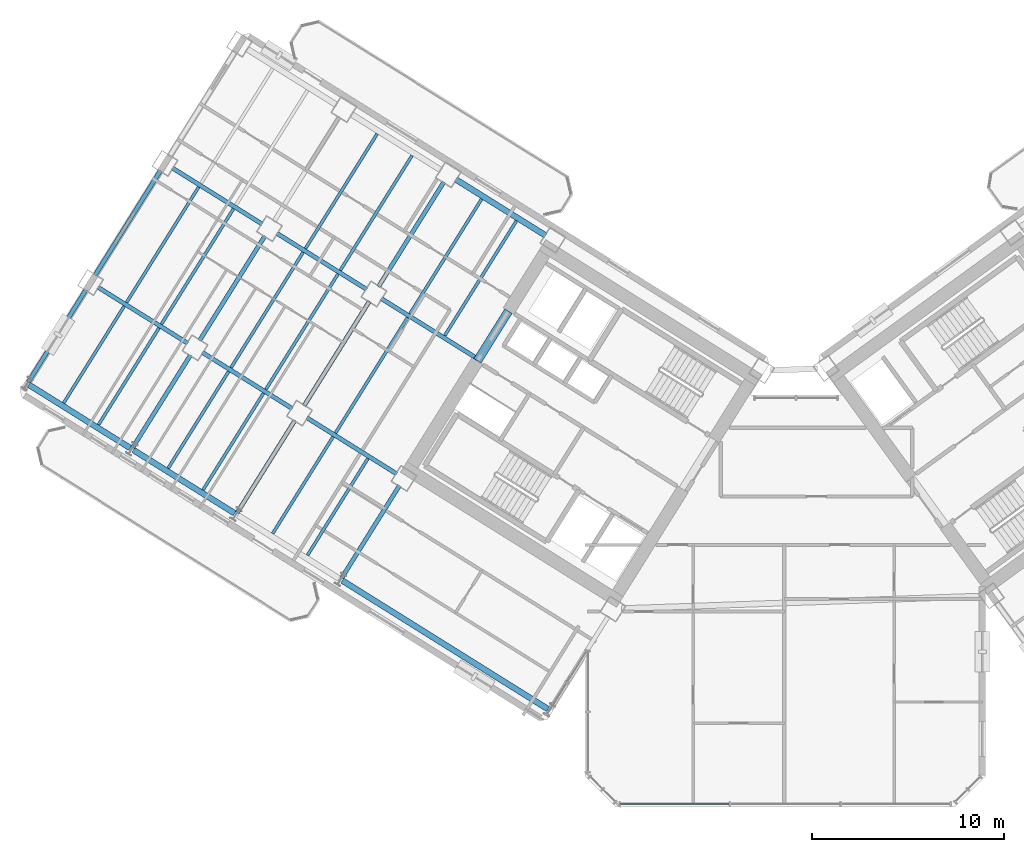
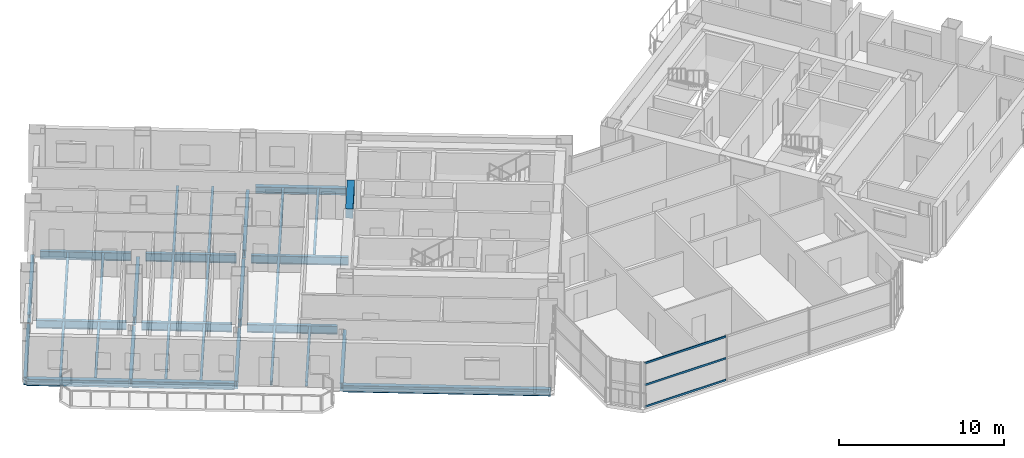
# One storey, part 6 of 24: 34 beams, 3 members, 1 element without a shape of its own.
"""IFC4 building model written with IfcOpenShell, lengths in metres."""

import ifcopenshell
import ifcopenshell.guid

model = None  # the IFC model being written
_history = None  # IfcOwnerHistory: only IFC2X3 demands one
_inside = {}  # id of a spatial element -> (the spatial element, [elements in it])
_under = {}  # id of a project, library or spatial element -> (it, [spatial elements below it])
_declared = {}  # id of a project -> (the project, [libraries it declares])
_typed = {}  # id of a type object -> (the type object, [elements of that type])
_made_of = {}  # id of a material, layer set ... -> (it, [elements and type objects made of it])


def new_model(schema):
    """Start an empty IFC model of exactly this schema.

    Asked for "IFC4X3", IfcOpenShell would pick the latest addendum, in which some entities
    have other attributes; the version numbers below select the first issue.
    IFC2X3 requires an IfcOwnerHistory on every rooted entity: one is made here for all.
    """
    global model, _history
    if schema == "IFC4X3":
        model = ifcopenshell.file(schema_version=(4, 3, 0, 0))
    else:
        model = ifcopenshell.file(schema=schema)
    _inside.clear()
    _under.clear()
    _declared.clear()
    _typed.clear()
    _made_of.clear()
    _history = None
    if model.schema == "IFC2X3":
        org = make("IfcOrganization", Name="unknown")
        user = make(
            "IfcPersonAndOrganization",
            ThePerson=make("IfcPerson", FamilyName="unknown"),
            TheOrganization=org,
        )
        app = make(
            "IfcApplication",
            ApplicationDeveloper=org,
            Version="unknown",
            ApplicationFullName="unknown",
            ApplicationIdentifier="unknown",
        )
        _history = make(
            "IfcOwnerHistory",
            OwningUser=user,
            OwningApplication=app,
            ChangeAction="ADDED",
            CreationDate=0,
        )
    return model


def make(cls, **values):
    """One entity of the class cls with the attributes given. An attribute that is None is left unset."""
    return model.create_entity(
        cls, **{name: value for name, value in values.items() if value is not None}
    )


def rooted(cls, **values):
    """An entity with a GlobalId (a new one), such as an element, a storey or a relation."""
    return make(cls, GlobalId=ifcopenshell.guid.new(), OwnerHistory=_history, **values)


def si_unit(unit_type, name, prefix=None):
    """IfcSIUnit, for example si_unit("LENGTHUNIT", "METRE", prefix="MILLI")."""
    return make("IfcSIUnit", UnitType=unit_type, Prefix=prefix, Name=name)


def assignment(units):
    """IfcUnitAssignment: the units of a project."""
    return None if units is None else make("IfcUnitAssignment", Units=units)


def point(xyz):
    """IfcCartesianPoint."""
    return None if xyz is None else make("IfcCartesianPoint", Coordinates=xyz)


def direction(xyz):
    """IfcDirection."""
    return None if xyz is None else make("IfcDirection", DirectionRatios=xyz)


def frame(location, z_axis=None, x_axis=None):
    """IfcAxis2Placement3D, a coordinate frame: its origin and axes. An axis left out is left unset."""
    return make(
        "IfcAxis2Placement3D",
        Location=point(location),
        Axis=direction(z_axis),
        RefDirection=direction(x_axis),
    )


def frame_2d(location, x_axis=None):
    """IfcAxis2Placement2D, a coordinate frame in the plane: its origin and x axis."""
    return make(
        "IfcAxis2Placement2D", Location=point(location), RefDirection=direction(x_axis)
    )


def origin():
    """The frame at (0, 0, 0) with its axes left unset."""
    return frame((0.0, 0.0, 0.0))


def origin_2d():
    """The frame at (0, 0) in the plane with its x axis left unset."""
    return frame_2d((0.0, 0.0))


def place(relative_to, where):
    """IfcLocalPlacement: puts the frame where relative to a parent placement (None: the world)."""
    return make(
        "IfcLocalPlacement", PlacementRelTo=relative_to, RelativePlacement=where
    )


def context(
    kind, dimensions, precision=None, world=None, true_north=None, identifier=None
):
    """IfcGeometricRepresentationContext, for example the 3D "Model" context."""
    return make(
        "IfcGeometricRepresentationContext",
        ContextIdentifier=identifier,
        ContextType=kind,
        CoordinateSpaceDimension=dimensions,
        Precision=precision,
        WorldCoordinateSystem=world,
        TrueNorth=true_north,
    )


def subcontext(parent, identifier, kind, view, scale=None):
    """IfcGeometricRepresentationSubContext, for example "Body" below "Model"."""
    return make(
        "IfcGeometricRepresentationSubContext",
        ContextIdentifier=identifier,
        ContextType=kind,
        ParentContext=parent,
        TargetScale=scale,
        TargetView=view,
    )


def project(units=None, contexts=None):
    """IfcProject with its units and contexts."""
    return rooted(
        "IfcProject",
        Name="project",
        RepresentationContexts=contexts,
        UnitsInContext=assignment(units),
    )


def spatial(cls, under=None, at=None, **own):
    """A site, building, storey or space (cls), placed at a placement, below another one or the project."""
    s = rooted(cls, ObjectPlacement=at, **own)
    if under is not None:
        _under.setdefault(under.id(), (under, []))[1].append(s)
    return s


def profile(cls, at=None, kind="AREA", **sizes):
    """A parametric profile (cls). Its sizes go by their IFC names, for example OverallWidth=200.0."""
    return make(cls, ProfileType=kind, Position=at, **sizes)


def rectangle(**sizes):
    """IfcRectangleProfileDef."""
    return profile("IfcRectangleProfileDef", **sizes)


def hollow_rectangle(**sizes):
    """IfcRectangleHollowProfileDef."""
    return profile("IfcRectangleHollowProfileDef", **sizes)


def i_section(**sizes):
    """IfcIShapeProfileDef."""
    return profile("IfcIShapeProfileDef", **sizes)


def extrude(swept, where, along, depth):
    """IfcExtrudedAreaSolid: the profile swept, set in the frame where, extruded along a direction by depth."""
    return make(
        "IfcExtrudedAreaSolid",
        SweptArea=swept,
        Position=where,
        ExtrudedDirection=direction(along),
        Depth=depth,
    )


def shape(context_of_items, identifier, shape_type, items):
    """IfcShapeRepresentation: the items that make up one representation, for example the "Body"."""
    return make(
        "IfcShapeRepresentation",
        ContextOfItems=context_of_items,
        RepresentationIdentifier=identifier,
        RepresentationType=shape_type,
        Items=items,
    )


def source(mapping_origin, context_of_items, identifier, shape_type, items):
    """IfcRepresentationMap: a shape defined once, which mapped items show again and again."""
    return make(
        "IfcRepresentationMap",
        MappingOrigin=mapping_origin,
        MappedRepresentation=shape(context_of_items, identifier, shape_type, items),
    )


def transform(
    local_origin,
    x_axis=None,
    y_axis=None,
    z_axis=None,
    scale=None,
    scale2=None,
    scale3=None,
    uniform=True,
):
    """IfcCartesianTransformationOperator3D, or its non-uniform kind. x_axis, y_axis, z_axis: its Axis1, 2, 3."""
    if uniform:
        return make(
            "IfcCartesianTransformationOperator3D",
            Axis1=direction(x_axis),
            Axis2=direction(y_axis),
            LocalOrigin=point(local_origin),
            Scale=scale,
            Axis3=direction(z_axis),
        )
    return make(
        "IfcCartesianTransformationOperator3DnonUniform",
        Axis1=direction(x_axis),
        Axis2=direction(y_axis),
        LocalOrigin=point(local_origin),
        Scale=scale,
        Axis3=direction(z_axis),
        Scale2=scale2,
        Scale3=scale3,
    )


def mapped(mapping_source, mapping_target):
    """IfcMappedItem: shows the shape of a source again, moved by a transform."""
    return make(
        "IfcMappedItem", MappingSource=mapping_source, MappingTarget=mapping_target
    )


def material(Name=None, Category=None):
    """IfcMaterial."""
    return make("IfcMaterial", Name=Name, Category=Category)


def material_profile(
    of_material, cross_section, Name=None, Category=None, Priority=None
):
    """IfcMaterialProfile: a cross section and its material."""
    return make(
        "IfcMaterialProfile",
        Name=Name,
        Material=of_material,
        Profile=cross_section,
        Priority=Priority,
        Category=Category,
    )


def profile_set(profiles, Name=None, composite=None):
    """IfcMaterialProfileSet."""
    return make(
        "IfcMaterialProfileSet",
        Name=Name,
        MaterialProfiles=profiles,
        CompositeProfile=composite,
    )


def made_of(thing, what):
    """Note that an element or type object is made of a material, layer set ...; save() writes the relation."""
    if what is not None:
        _made_of.setdefault(what.id(), (what, []))[1].append(thing)
    return thing


def type_object(cls, material=None, **own):
    """A type object (cls), such as IfcWallType, which elements share."""
    return made_of(rooted(cls, **own), material)


def element(
    cls,
    number,
    at=None,
    inside=None,
    cuts=None,
    type_object=None,
    material=None,
    context=None,
    identifier="Body",
    shape_type=None,
    held_by="IfcProductDefinitionShape",
    body=None,
    shapes=None,
    **own,
):
    """One element of the class cls, such as IfcWall. Its Tag is "e" and its number.

    at: its placement. inside: the storey or other place that contains it. cuts: it is an
    opening in that element (IfcRelVoidsElement). A single representation is given by context,
    identifier, shape_type and body (its items); several are given by shapes. held_by: the class
    of the entity that holds the representations. save() writes the other relations.
    """
    e = rooted(cls, Tag="e%d" % number, ObjectPlacement=at, **own)
    if body is not None:
        shapes = [shape(context, identifier, shape_type, body)]
    if shapes is not None:
        e.Representation = make(held_by, Representations=shapes)
    if inside is not None:
        _inside.setdefault(inside.id(), (inside, []))[1].append(e)
    if cuts is not None:
        rooted(
            "IfcRelVoidsElement", RelatingBuildingElement=cuts, RelatedOpeningElement=e
        )
    if type_object is not None:
        _typed.setdefault(type_object.id(), (type_object, []))[1].append(e)
    return made_of(e, material)


def aggregate(whole, parts):
    """IfcRelAggregates: a whole, such as a stair, and the parts it consists of."""
    return rooted("IfcRelAggregates", RelatingObject=whole, RelatedObjects=parts)


def save(model, path):
    """Write the relations noted so far, then the file.

    IfcRelAggregates (storeys below a building ...), IfcRelContainedInSpatialStructure (elements
    in a storey), IfcRelDefinesByType, IfcRelAssociatesMaterial and IfcRelDeclares: one each for
    every whole, place, type object, material and project.
    """
    for whole, parts in _under.values():
        aggregate(whole, parts)
    for where, things in _inside.values():
        rooted(
            "IfcRelContainedInSpatialStructure",
            RelatedElements=things,
            RelatingStructure=where,
        )
    for kind, things in _typed.values():
        rooted("IfcRelDefinesByType", RelatedObjects=things, RelatingType=kind)
    for what, things in _made_of.values():
        rooted("IfcRelAssociatesMaterial", RelatedObjects=things, RelatingMaterial=what)
    for by, libraries in _declared.values():
        rooted("IfcRelDeclares", RelatingContext=by, RelatedDefinitions=libraries)
    model.write(path)


model = new_model("IFC4")

# Units and contexts
model_context = context("Model", 3, precision=1e-05, world=origin(), true_north=direction((0.0, 1.0)))
body_context = subcontext(model_context, "Body", "Model", "MODEL_VIEW")
ifc_project = project(units=[si_unit("LENGTHUNIT", "METRE"), si_unit("AREAUNIT", "SQUARE_METRE"), si_unit("VOLUMEUNIT", "CUBIC_METRE"), si_unit("PLANEANGLEUNIT", "RADIAN"), si_unit("MASSUNIT", "GRAM", prefix="KILO")], contexts=[model_context])

# Site, building, storey
site_placement = place(None, origin())
site = spatial("IfcSite", under=ifc_project, at=site_placement, CompositionType="ELEMENT")
building_placement = place(site_placement, origin())
building = spatial("IfcBuilding", under=site, at=building_placement, Name="Tlacorven Tower", CompositionType="ELEMENT")
storey_placement = place(building_placement, frame((0.0, 0.0, 31.199951171875)))
storey = spatial("IfcBuildingStorey", under=building, at=storey_placement, Name="L07", CompositionType="ELEMENT", Elevation=31.199951171875)

# Beams
ifc_material_1 = material(Name="Concrete C60/75", Category="concrete")
ifc_material_profile_1 = material_profile(ifc_material_1, rectangle(XDim=0.449951171875, YDim=0.699951171875, at=origin_2d()), Name="RC 450X700")
ifc_profile_set_1 = profile_set([ifc_material_profile_1], Name="Concrete C60/75")
beam_type_1 = type_object("IfcBeamType", Name="BM-LNT-700", PredefinedType="LINTEL", material=ifc_profile_set_1)
shared_shape_1 = source(origin(), body_context, "Body", "SweptSolid", [
    extrude(rectangle(XDim=0.449951171875, YDim=0.699951171875, at=origin_2d()), origin(), (0.0, 0.0, 1.0), 3.0498046875),
])
beam_1_placement = place(storey_placement, frame((27.622802734375, 27.562255859375, 3.0), z_axis=(-0.529926983584, -0.848043272522, 0.0), x_axis=(0.848043272522, -0.529926983584, 0.0)))
element("IfcBeam", 1, at=beam_1_placement, inside=storey, type_object=beam_type_1, Name="L07 W core coupling lintel beam E2", PredefinedType="LINTEL", context=body_context, shape_type="MappedRepresentation", body=[
    mapped(shared_shape_1, transform((0.0, 0.0, 0.0), scale=1.0)),
])
ifc_material_2 = material(Name="Steel S355J2", Category="steel")
ifc_material_profile_2 = material_profile(ifc_material_2, i_section(OverallWidth=0.300048828125, OverallDepth=0.489990234375, WebThickness=0.011962890625, FlangeThickness=0.02294921875, at=origin_2d()), Name="HEA 500")
ifc_profile_set_2 = profile_set([ifc_material_profile_2], Name="Steel S355J2")
beam_type_2 = type_object("IfcBeamType", Name="BM-SPN-500", PredefinedType="SPANDREL", material=ifc_profile_set_2)
shared_shape_2 = source(origin(), body_context, "Body", "SweptSolid", [
    extrude(i_section(OverallWidth=0.300048828125, OverallDepth=0.489990234375, WebThickness=0.011962890625, FlangeThickness=0.02294921875, at=origin_2d()), origin(), (0.0, 0.0, 1.0), 5.5),
])
beam_2_placement = place(storey_placement, frame((29.54638671875, 31.48974609375, -0.494873046875), z_axis=(-0.848050668838, 0.52991514706, 0.0), x_axis=(-0.52991514706, -0.848050668838, 0.0)))
element("IfcBeam", 2, at=beam_2_placement, inside=storey, type_object=beam_type_2, Name="L07 beam BM-L07-WL1-3", PredefinedType="SPANDREL", context=body_context, shape_type="MappedRepresentation", body=[
    mapped(shared_shape_2, transform((0.0, 0.0, 0.0), scale=1.0)),
])
ifc_material_profile_3 = material_profile(ifc_material_2, i_section(OverallWidth=0.219970703125, OverallDepth=0.60009765625, WebThickness=0.011962890625, FlangeThickness=0.01904296875, at=origin_2d()), Name="IPE 600")
ifc_profile_set_3 = profile_set([ifc_material_profile_3], Name="Steel S355J2")
beam_type_3 = type_object("IfcBeamType", Name="BM-TWR-600", PredefinedType="BEAM", material=ifc_profile_set_3)
shared_shape_3 = source(origin(), body_context, "Body", "SweptSolid", [
    extrude(i_section(OverallWidth=0.219970703125, OverallDepth=0.60009765625, WebThickness=0.011962890625, FlangeThickness=0.01904296875, at=origin_2d()), origin(), (0.0, 0.0, 1.0), 5.909912109375),
])
beam_3_placement = place(storey_placement, frame((26.025634765625, 25.081787109375, -0.550048828125), z_axis=(-0.848047036595, 0.529920959883, 0.0), x_axis=(-0.529920959883, -0.848047036595, 0.0)))
element("IfcBeam", 3, at=beam_3_placement, inside=storey, type_object=beam_type_3, Name="L07 beam BM-L07-WL2-3", PredefinedType="BEAM", context=body_context, shape_type="MappedRepresentation", body=[
    mapped(shared_shape_3, transform((0.0, 0.0, 0.0), scale=1.0)),
])
shared_shape_4 = source(origin(), body_context, "Body", "SweptSolid", [
    extrude(i_section(OverallWidth=0.219970703125, OverallDepth=0.60009765625, WebThickness=0.011962890625, FlangeThickness=0.01904296875, at=origin_2d()), origin(), (0.0, 0.0, 1.0), 5.5),
])
for number, where, z_axis, x_axis, name in (
    (4, (20.25048828125, 28.690673828125, -0.550048828125), (-0.848050668838, 0.52991514706, 0.0), (-0.52991514706, -0.848050668838, 0.0), "L07 beam BM-L07-WL2-4"),
    (5, (14.822998046875, 32.08203125, -0.550048828125), (-0.848050668838, 0.52991514706, 0.0), (-0.52991514706, -0.848050668838, 0.0), "L07 beam BM-L07-WL2-5"),
    (6, (21.8095703125, 19.1083984375, -0.550048828125), (-0.848050668838, 0.52991514706, 0.0), (-0.52991514706, -0.848050668838, 0.0), "L07 beam BM-L07-WL3-3"),
    (7, (16.382080078125, 22.499755859375, -0.550048828125), (-0.848050668838, 0.52991514706, 0.0), (-0.52991514706, -0.848050668838, 0.0), "L07 beam BM-L07-WL3-4"),
    (8, (10.95458984375, 25.891357421875, -0.550048828125), (-0.848050668838, 0.52991514706, 0.0), (-0.52991514706, -0.848050668838, 0.0), "L07 beam BM-L07-WL3-5"),
):
    element("IfcBeam", number, at=place(storey_placement, frame(where, z_axis=z_axis, x_axis=x_axis)), inside=storey, type_object=beam_type_3, Name=name, PredefinedType="BEAM", context=body_context, shape_type="MappedRepresentation", body=[
        mapped(shared_shape_4, transform((0.0, 0.0, 0.0), scale=1.0)),
    ])
shared_shape_5 = source(origin(), body_context, "Body", "SweptSolid", [
    extrude(i_section(OverallWidth=0.300048828125, OverallDepth=0.489990234375, WebThickness=0.011962890625, FlangeThickness=0.02294921875, at=origin_2d()), origin(), (0.0, 0.0, 1.0), 12.599853515625),
])
beam_4_placement = place(storey_placement, frame((29.67578125, 6.882080078125, -0.494873046875), z_axis=(-0.848045108756, 0.529924045043, 0.0), x_axis=(-0.529924045043, -0.848045108756, 0.0)))
element("IfcBeam", 9, at=beam_4_placement, inside=storey, type_object=beam_type_2, Name="L07 beam BM-L07-WL4-1", PredefinedType="SPANDREL", context=body_context, shape_type="MappedRepresentation", body=[
    mapped(shared_shape_5, transform((0.0, 0.0, 0.0), scale=1.0)),
])
shared_shape_6 = source(origin(), body_context, "Body", "SweptSolid", [
    extrude(i_section(OverallWidth=0.300048828125, OverallDepth=0.489990234375, WebThickness=0.011962890625, FlangeThickness=0.02294921875, at=origin_2d()), origin(), (0.0, 0.0, 1.0), 6.199951171875),
])
for number, where, z_axis, x_axis, name in (
    (10, (13.393310546875, 17.056396484375, -0.494873046875), (-0.848033697614, 0.529942306022, 0.0), (-0.529942306022, -0.848033697614, 0.0), "L07 beam BM-L07-WL4-4"),
    (11, (7.9658203125, 20.447998046875, -0.494873046875), (-0.848051394107, 0.529913986372, 0.0), (-0.529913986372, -0.848051394107, 0.0), "L07 beam BM-L07-WL4-5"),
):
    element("IfcBeam", number, at=place(storey_placement, frame(where, z_axis=z_axis, x_axis=x_axis)), inside=storey, type_object=beam_type_2, Name=name, PredefinedType="SPANDREL", context=body_context, shape_type="MappedRepresentation", body=[
        mapped(shared_shape_6, transform((0.0, 0.0, 0.0), scale=1.0)),
    ])
shared_shape_7 = source(origin(), body_context, "Body", "SweptSolid", [
    extrude(i_section(OverallWidth=0.219970703125, OverallDepth=0.60009765625, WebThickness=0.011962890625, FlangeThickness=0.01904296875, at=origin_2d()), origin(), (0.0, 0.0, 1.0), 5.650146484375),
])
for number, where, z_axis, x_axis, name in (
    (12, (21.95263671875, 18.48828125, -0.550048828125), (-0.529929025184, -0.848041996759, 0.0), (0.848041996759, -0.529929025184, 0.0), "L07 beam BM-L07-WT3-2"),
    (13, (16.525146484375, 21.879638671875, -0.550048828125), (-0.529929025184, -0.848041996759, 0.0), (0.848041996759, -0.529929025184, 0.0), "L07 beam BM-L07-WT4-3"),
    (14, (11.09765625, 25.271240234375, -0.550048828125), (-0.529929025184, -0.848041996759, 0.0), (0.848041996759, -0.529929025184, 0.0), "L07 beam BM-L07-WT5-3"),
    (15, (5.670166015625, 28.66259765625, -0.550048828125), (-0.529929025184, -0.848041996759, 0.0), (0.848041996759, -0.529929025184, 0.0), "L07 beam BM-L07-WT6-3"),
):
    element("IfcBeam", number, at=place(storey_placement, frame(where, z_axis=z_axis, x_axis=x_axis)), inside=storey, type_object=beam_type_3, Name=name, PredefinedType="BEAM", context=body_context, shape_type="MappedRepresentation", body=[
        mapped(shared_shape_7, transform((0.0, 0.0, 0.0), scale=1.0)),
    ])
shared_shape_8 = source(origin(), body_context, "Body", "SweptSolid", [
    extrude(i_section(OverallWidth=0.219970703125, OverallDepth=0.60009765625, WebThickness=0.011962890625, FlangeThickness=0.01904296875, at=origin_2d()), origin(), (0.0, 0.0, 1.0), 6.39990234375),
])
for number, where, z_axis, x_axis, name in (
    (16, (24.261962890625, 34.26123046875, -0.550048828125), (-0.529906354247, -0.848056163074, 0.0), (0.848056163074, -0.529906354247, 0.0), "L07 beam BM-L07-WT4-1"),
    (17, (20.3935546875, 28.070556640625, -0.550048828125), (-0.529906354247, -0.848056163074, 0.0), (0.848056163074, -0.529906354247, 0.0), "L07 beam BM-L07-WT4-2"),
):
    element("IfcBeam", number, at=place(storey_placement, frame(where, z_axis=z_axis, x_axis=x_axis)), inside=storey, type_object=beam_type_3, Name=name, PredefinedType="BEAM", context=body_context, shape_type="MappedRepresentation", body=[
        mapped(shared_shape_8, transform((0.0, 0.0, 0.0), scale=1.0)),
    ])
shared_shape_9 = source(origin(), body_context, "Body", "SweptSolid", [
    extrude(i_section(OverallWidth=0.219970703125, OverallDepth=0.60009765625, WebThickness=0.011962890625, FlangeThickness=0.01904296875, at=origin_2d()), origin(), (0.0, 0.0, 1.0), 6.400146484375),
])
for number, where, z_axis, x_axis, name in (
    (18, (14.966064453125, 31.4619140625, -0.550048828125), (-0.529933789039, -0.848039019877, 0.0), (0.848039019877, -0.529933789039, 0.0), "L07 beam BM-L07-WT5-2"),
    (19, (9.53857421875, 34.853515625, -0.550048828125), (-0.529933789039, -0.848039019877, 0.0), (0.848039019877, -0.529933789039, 0.0), "L07 beam BM-L07-WT6-2"),
):
    element("IfcBeam", number, at=place(storey_placement, frame(where, z_axis=z_axis, x_axis=x_axis)), inside=storey, type_object=beam_type_3, Name=name, PredefinedType="BEAM", context=body_context, shape_type="MappedRepresentation", body=[
        mapped(shared_shape_9, transform((0.0, 0.0, 0.0), scale=1.0)),
    ])
ifc_material_profile_4 = material_profile(ifc_material_2, i_section(OverallWidth=0.159912109375, OverallDepth=0.330078125, WebThickness=0.007568359375, FlangeThickness=0.011474609375, at=origin_2d()), Name="IPE 330")
ifc_profile_set_4 = profile_set([ifc_material_profile_4], Name="Steel S355J2")
beam_type_4 = type_object("IfcBeamType", Name="BM-JST-330", PredefinedType="JOIST", material=ifc_profile_set_4)
shared_shape_10 = source(origin(), body_context, "Body", "SweptSolid", [
    extrude(i_section(OverallWidth=0.159912109375, OverallDepth=0.330078125, WebThickness=0.007568359375, FlangeThickness=0.011474609375, at=origin_2d()), origin(), (0.0, 0.0, 1.0), 7.030029296875),
])
for number, where, z_axis, x_axis, name in (
    (20, (28.03662109375, 32.25048828125, -0.4150390625), (-0.529911532383, -0.848052927504, 0.0), (0.848052927504, -0.529911532383, 0.0), "L07 beam BM-L07-WJ3-1-1"),
    (21, (26.2275390625, 33.380859375, -0.4150390625), (-0.529927139185, -0.84804317529, 0.0), (0.84804317529, -0.529927139185, 0.0), "L07 beam BM-L07-WJ3-1-2"),
    (22, (22.609130859375, 35.641845703125, -0.4150390625), (-0.529927139185, -0.84804317529, 0.0), (0.84804317529, -0.529927139185, 0.0), "L07 beam BM-L07-WJ4-1-1"),
    (23, (20.800048828125, 36.7724609375, -0.4150390625), (-0.529911532383, -0.848052927504, 0.0), (0.848052927504, -0.529911532383, 0.0), "L07 beam BM-L07-WJ4-1-2"),
):
    element("IfcBeam", number, at=place(storey_placement, frame(where, z_axis=z_axis, x_axis=x_axis)), inside=storey, type_object=beam_type_4, Name=name, PredefinedType="JOIST", context=body_context, shape_type="MappedRepresentation", body=[
        mapped(shared_shape_10, transform((0.0, 0.0, 0.0), scale=1.0)),
    ])
shared_shape_11 = source(origin(), body_context, "Body", "SweptSolid", [
    extrude(i_section(OverallWidth=0.159912109375, OverallDepth=0.330078125, WebThickness=0.007568359375, FlangeThickness=0.011474609375, at=origin_2d()), origin(), (0.0, 0.0, 1.0), 5.93017578125),
])
for number, where, z_axis, x_axis, name in (
    (24, (20.321044921875, 19.90283203125, -0.4150390625), (-0.529899018132, -0.848060746989, 0.0), (0.848060746989, -0.529899018132, 0.0), "L07 beam BM-L07-WJ3-3-1"),
    (25, (18.51171875, 21.033447265625, -0.4150390625), (-0.529899018132, -0.848060746989, 0.0), (0.848060746989, -0.529899018132, 0.0), "L07 beam BM-L07-WJ3-3-2"),
    (26, (9.466064453125, 26.685791015625, -0.4150390625), (-0.529928626913, -0.848042245633, 0.0), (0.848042245633, -0.529928626913, 0.0), "L07 beam BM-L07-WJ5-3-1"),
    (27, (7.65673828125, 27.81640625, -0.4150390625), (-0.529899018132, -0.848060746989, 0.0), (0.848060746989, -0.529899018132, 0.0), "L07 beam BM-L07-WJ5-3-2"),
):
    element("IfcBeam", number, at=place(storey_placement, frame(where, z_axis=z_axis, x_axis=x_axis)), inside=storey, type_object=beam_type_4, Name=name, PredefinedType="JOIST", context=body_context, shape_type="MappedRepresentation", body=[
        mapped(shared_shape_11, transform((0.0, 0.0, 0.0), scale=1.0)),
    ])
shared_shape_12 = source(origin(), body_context, "Body", "SweptSolid", [
    extrude(i_section(OverallWidth=0.159912109375, OverallDepth=0.330078125, WebThickness=0.007568359375, FlangeThickness=0.011474609375, at=origin_2d()), origin(), (0.0, 0.0, 1.0), 7.070068359375),
])
for number, where, z_axis, x_axis, name in (
    (28, (22.380126953125, 27.22412109375, -0.4150390625), (-0.529890296319, -0.84806619663, 0.0), (0.84806619663, -0.529890296319, 0.0), "L07 beam BM-L07-WJ3-2-2"),
    (29, (18.761962890625, 29.485107421875, -0.4150390625), (-0.529915131461, -0.848050678585, 0.0), (0.848050678585, -0.529915131461, 0.0), "L07 beam BM-L07-WJ4-2-1"),
    (30, (13.33447265625, 32.87646484375, -0.4150390625), (-0.529930649952, -0.848040981463, 0.0), (0.848040981463, -0.529930649952, 0.0), "L07 beam BM-L07-WJ5-2-1"),
    (31, (11.525146484375, 34.007080078125, -0.4150390625), (-0.529930649952, -0.848040981463, 0.0), (0.848040981463, -0.529930649952, 0.0), "L07 beam BM-L07-WJ5-2-2"),
):
    element("IfcBeam", number, at=place(storey_placement, frame(where, z_axis=z_axis, x_axis=x_axis)), inside=storey, type_object=beam_type_4, Name=name, PredefinedType="JOIST", context=body_context, shape_type="MappedRepresentation", body=[
        mapped(shared_shape_12, transform((0.0, 0.0, 0.0), scale=1.0)),
    ])
shared_shape_13 = source(origin(), body_context, "Body", "SweptSolid", [
    extrude(i_section(OverallWidth=0.159912109375, OverallDepth=0.330078125, WebThickness=0.007568359375, FlangeThickness=0.011474609375, at=origin_2d()), origin(), (0.0, 0.0, 1.0), 5.929931640625),
])
for number, where, z_axis, x_axis, name in (
    (32, (14.8935546875, 23.294189453125, -0.4150390625), (-0.529917519894, -0.848049186138, 0.0), (0.848049186138, -0.529917519894, 0.0), "L07 beam BM-L07-WJ4-3-1"),
    (33, (13.084228515625, 24.4248046875, -0.4150390625), (-0.529917519894, -0.848049186138, 0.0), (0.848049186138, -0.529917519894, 0.0), "L07 beam BM-L07-WJ4-3-2"),
):
    element("IfcBeam", number, at=place(storey_placement, frame(where, z_axis=z_axis, x_axis=x_axis)), inside=storey, type_object=beam_type_4, Name=name, PredefinedType="JOIST", context=body_context, shape_type="MappedRepresentation", body=[
        mapped(shared_shape_13, transform((0.0, 0.0, 0.0), scale=1.0)),
    ])
shared_shape_14 = source(origin(), body_context, "Body", "SweptSolid", [
    extrude(i_section(OverallWidth=0.159912109375, OverallDepth=0.330078125, WebThickness=0.007568359375, FlangeThickness=0.011474609375, at=origin_2d()), origin(), (0.0, 0.0, 1.0), 7.06982421875),
])
beam_5_placement = place(storey_placement, frame((16.95263671875, 30.615478515625, -0.4150390625), z_axis=(-0.52990581465, -0.84805650024, 0.0), x_axis=(0.84805650024, -0.52990581465, 0.0)))
element("IfcBeam", 34, at=beam_5_placement, inside=storey, type_object=beam_type_4, Name="L07 beam BM-L07-WJ4-2-2", PredefinedType="JOIST", context=body_context, shape_type="MappedRepresentation", body=[
    mapped(shared_shape_14, transform((0.0, 0.0, 0.0), scale=1.0)),
])

# Curtain wall, members
ifc_material_3 = material(Name="Dark solar low-E double glazing in aluminium frame", Category="aluminium")
curtain_wall_type = type_object("IfcCurtainWallType", Name="CW-TWR-LOW", PredefinedType="USERDEFINED", material=ifc_material_3)
curtain_wall_placement = place(storey_placement, origin())
curtain_wall = element("IfcCurtainWall", 35, at=curtain_wall_placement, inside=storey, type_object=curtain_wall_type, Name="L07 CW-TWR-LOW Curtain Wall 34", ObjectType="UNITISED CURTAIN WALL", PredefinedType="USERDEFINED")
ifc_material_4 = material(Name="Aluminium 6063-T6 anodised", Category="aluminium")
ifc_material_profile_5 = material_profile(ifc_material_4, hollow_rectangle(XDim=0.06005859375, YDim=0.139892578125, WallThickness=0.00390625, at=origin_2d()), Name="ALU TRANSOM 60X140")
ifc_profile_set_5 = profile_set([ifc_material_profile_5], Name="Aluminium 6063-T6 anodised")
member_type = type_object("IfcMemberType", Name="CWT-02", PredefinedType="USERDEFINED", material=ifc_profile_set_5)
shared_shape_15 = source(origin(), body_context, "Body", "SweptSolid", [
    extrude(hollow_rectangle(XDim=0.06005859375, YDim=0.139892578125, WallThickness=0.00390625, at=origin_2d()), origin(), (0.0, 0.0, 1.0), 5.6748046875),
])
member_1_placement = place(storey_placement, frame((39.09912109375, 1.9599609375, 0.070068359375), z_axis=(-1.0, 0.0, 0.0), x_axis=(0.0, -1.0, 0.0)))
member_1 = element("IfcMember", 36, at=member_1_placement, type_object=member_type, Name="CW-L07-034 Transom 7", ObjectType="TRANSOM", PredefinedType="USERDEFINED", context=body_context, shape_type="MappedRepresentation", body=[
    mapped(shared_shape_15, transform((0.0, 0.0, 0.0), scale=1.0)),
])
member_2_placement = place(storey_placement, frame((39.09912109375, 1.9599609375, 1.675048828125), z_axis=(-1.0, 0.0, 0.0), x_axis=(0.0, -1.0, 0.0)))
member_2 = element("IfcMember", 37, at=member_2_placement, type_object=member_type, Name="CW-L07-034 Transom 8", ObjectType="TRANSOM", PredefinedType="USERDEFINED", context=body_context, shape_type="MappedRepresentation", body=[
    mapped(shared_shape_15, transform((0.0, 0.0, 0.0), scale=1.0)),
])
member_3_placement = place(storey_placement, frame((39.09912109375, 1.9599609375, 3.280029296875), z_axis=(-1.0, 0.0, 0.0), x_axis=(0.0, -1.0, 0.0)))
member_3 = element("IfcMember", 38, at=member_3_placement, type_object=member_type, Name="CW-L07-034 Transom 9", ObjectType="TRANSOM", PredefinedType="USERDEFINED", context=body_context, shape_type="MappedRepresentation", body=[
    mapped(shared_shape_15, transform((0.0, 0.0, 0.0), scale=1.0)),
])
aggregate(curtain_wall, [member_1, member_2, member_3])

save(model, "model.ifc")
